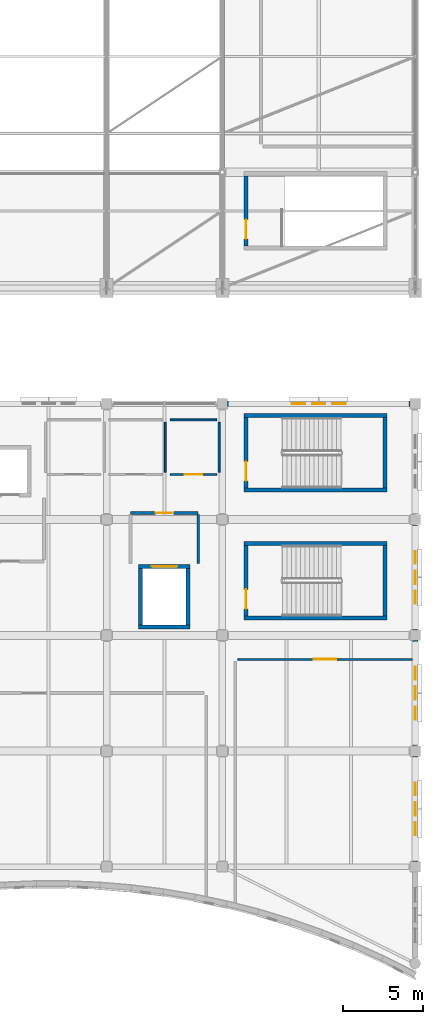
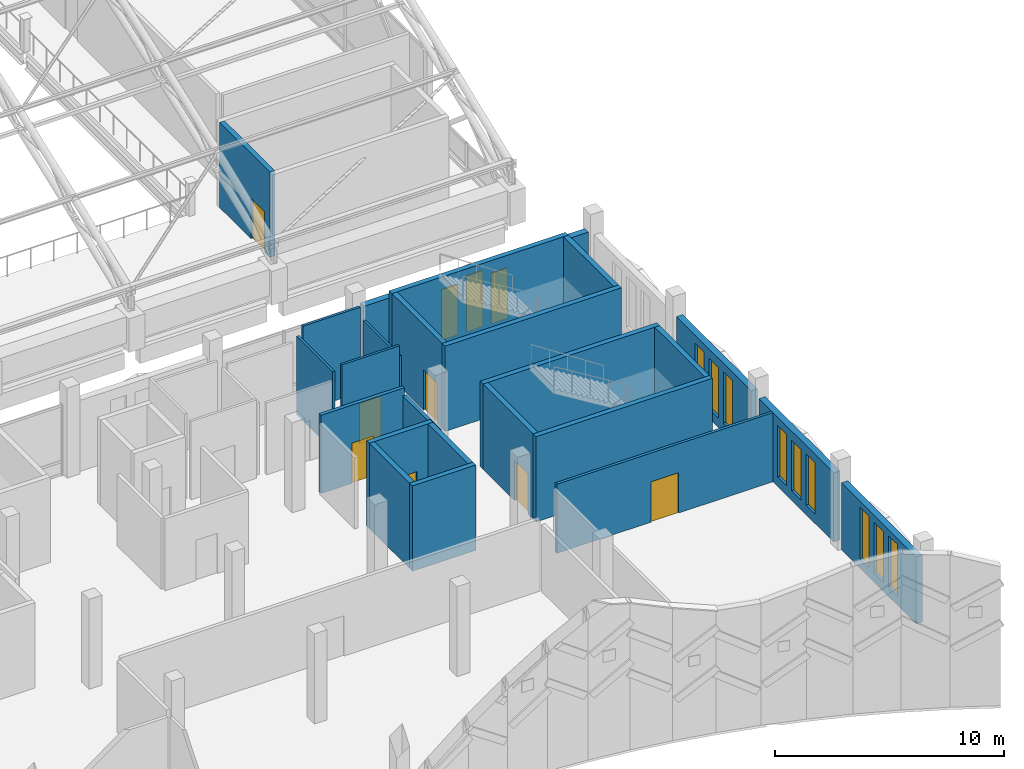
# One storey, part 92 of 116: 24 walls, 12 windows, 7 doors, 19 openings.
"""IFC4 building model written with IfcOpenShell, lengths in metres."""

from ifc_helpers import new_model, si_unit, direction, frame, frame_2d, origin, place, context, subcontext, project, spatial, rectangle, extrude, material, layer, layer_set, type_object, element, fill, save


model = new_model("IFC4")

# Units and contexts
model_context = context("Model", 3, precision=1e-05, world=origin(), true_north=direction((0.0, 1.0)))
body_context = subcontext(model_context, "Body", "Model", "MODEL_VIEW")
ifc_project = project(units=[si_unit("LENGTHUNIT", "METRE"), si_unit("AREAUNIT", "SQUARE_METRE"), si_unit("VOLUMEUNIT", "CUBIC_METRE"), si_unit("PLANEANGLEUNIT", "RADIAN"), si_unit("MASSUNIT", "GRAM", prefix="KILO")], contexts=[model_context])

# Site, building, storey
site_placement = place(None, origin())
site = spatial("IfcSite", under=ifc_project, at=site_placement, CompositionType="ELEMENT")
building_placement = place(site_placement, origin())
building = spatial("IfcBuilding", under=site, at=building_placement, Name="Cendralis Lancet Convention Centre", CompositionType="ELEMENT")
storey_placement = place(building_placement, frame((0.0, 0.0, 15.0)))
storey = spatial("IfcBuildingStorey", under=building, at=storey_placement, Name="L03", CompositionType="ELEMENT", Elevation=15.0)

# Wall, openings, windows
ifc_material_1 = material(Name="Buff sandstone ashlar and Concrete G40 (C40/50)", Category="masonry")
ifc_layer_1 = layer(ifc_material_1, 0.320068359375, Name="Buff sandstone ashlar and Concrete G40 (C40/50)")
ifc_layer_set_1 = layer_set([ifc_layer_1], Name="Buff sandstone ashlar and Concrete G40 (C40/50)")
wall_type_1 = type_object("IfcWallType", Name="ARC-EW-W320", PredefinedType="STANDARD", material=ifc_layer_set_1)
wall_1_placement = place(storey_placement, frame((197.133056640625, 36.0, 0.0), z_axis=(0.0, 0.0, 1.0), x_axis=(1.0, 0.0, 0.0)))
wall_1 = element("IfcWall", 1, at=wall_1_placement, inside=storey, type_object=wall_type_1, Name="L03 V5 Exterior Wall EW-06 #0308", PredefinedType="STANDARD", context=body_context, shape_type="SweptSolid", body=[
    extrude(rectangle(XDim=11.333984375, YDim=0.320068359375, at=frame_2d((5.6669921875, 0.0))), origin(), (0.0, 0.0, 1.0), 3.784912109375),
])
opening_1_placement = place(wall_1_placement, frame((3.9970703125, 0.0, 0.5)))
opening_1 = element("IfcOpeningElement", 2, at=opening_1_placement, cuts=wall_1, Name="Opening WN-15", PredefinedType="OPENING", context=body_context, shape_type="SweptSolid", body=[
    extrude(rectangle(XDim=0.840087890625, YDim=2.699951171875, at=frame_2d((0.419921875, 1.35009765625))), frame((0.0, 0.169921875, 0.0), z_axis=(0.0, -1.0, 0.0), x_axis=(1.0, 0.0, 0.0)), (0.0, 0.0, 1.0), 0.340087890625),
])
opening_2_placement = place(wall_1_placement, frame((5.257080078125, 0.0, 0.5)))
opening_2 = element("IfcOpeningElement", 3, at=opening_2_placement, cuts=wall_1, Name="Opening WN-02", PredefinedType="OPENING", context=body_context, shape_type="SweptSolid", body=[
    extrude(rectangle(XDim=0.820068359375, YDim=3.0, at=frame_2d((0.41015625, 1.5))), frame((0.0, 0.169921875, 0.0), z_axis=(0.0, -1.0, 0.0), x_axis=(1.0, 0.0, 0.0)), (0.0, 0.0, 1.0), 0.340087890625),
])
opening_3_placement = place(wall_1_placement, frame((6.4970703125, 0.0, 0.5)))
opening_3 = element("IfcOpeningElement", 4, at=opening_3_placement, cuts=wall_1, Name="Opening WN-15", PredefinedType="OPENING", context=body_context, shape_type="SweptSolid", body=[
    extrude(rectangle(XDim=0.840087890625, YDim=2.699951171875, at=frame_2d((0.419921875, 1.35009765625))), frame((0.0, 0.169921875, 0.0), z_axis=(0.0, -1.0, 0.0), x_axis=(1.0, 0.0, 0.0)), (0.0, 0.0, 1.0), 0.340087890625),
])
ifc_material_2 = material(Name="Double-glazed low-E solar-control glass", Category="glass")
window_type_1 = type_object("IfcWindowType", Name="ARC-WN-LW02", PartitioningType="SINGLE_PANEL", PredefinedType="WINDOW", material=ifc_material_2)
window_1_placement = place(opening_2_placement, origin())
window_1 = element("IfcWindow", 5, at=window_1_placement, inside=storey, type_object=window_type_1, Name="Gothic Lancet Window WN-02 #0605", OverallHeight=3.0, OverallWidth=0.820068359375, PartitioningType="SINGLE_PANEL", PredefinedType="WINDOW", context=body_context, shape_type="SweptSolid", body=[
    extrude(rectangle(XDim=0.820068359375, YDim=3.0, at=frame_2d((0.41015625, 1.5))), frame((0.0, 0.030029296875, 0.0), z_axis=(0.0, -1.0, 0.0), x_axis=(1.0, 0.0, 0.0)), (0.0, 0.0, 1.0), 0.06005859375),
])
fill(opening_2, window_1)
window_type_2 = type_object("IfcWindowType", Name="ARC-WN-LW15", PartitioningType="SINGLE_PANEL", PredefinedType="WINDOW", material=ifc_material_2)
window_2_placement = place(opening_1_placement, origin())
window_2 = element("IfcWindow", 6, at=window_2_placement, inside=storey, type_object=window_type_2, Name="Gothic Lancet Window WN-15 #0604", OverallHeight=2.699951171875, OverallWidth=0.840087890625, PartitioningType="SINGLE_PANEL", PredefinedType="WINDOW", context=body_context, shape_type="SweptSolid", body=[
    extrude(rectangle(XDim=0.840087890625, YDim=2.699951171875, at=frame_2d((0.419921875, 1.35009765625))), frame((0.0, 0.030029296875, 0.0), z_axis=(0.0, -1.0, 0.0), x_axis=(1.0, 0.0, 0.0)), (0.0, 0.0, 1.0), 0.06005859375),
])
fill(opening_1, window_2)
window_3_placement = place(opening_3_placement, origin())
window_3 = element("IfcWindow", 7, at=window_3_placement, inside=storey, type_object=window_type_2, Name="Gothic Lancet Window WN-15 #0606", OverallHeight=2.699951171875, OverallWidth=0.840087890625, PartitioningType="SINGLE_PANEL", PredefinedType="WINDOW", context=body_context, shape_type="SweptSolid", body=[
    extrude(rectangle(XDim=0.840087890625, YDim=2.699951171875, at=frame_2d((0.419921875, 1.35009765625))), frame((0.0, 0.030029296875, 0.0), z_axis=(0.0, -1.0, 0.0), x_axis=(1.0, 0.0, 0.0)), (0.0, 0.0, 1.0), 0.06005859375),
])
fill(opening_3, window_3)

wall_2_placement = place(storey_placement, frame((208.800048828125, 14.06689453125, 0.0), z_axis=(0.0, 0.0, 1.0), x_axis=(0.0, -1.0, 0.0)))
wall_2 = element("IfcWall", 8, at=wall_2_placement, inside=storey, type_object=wall_type_1, Name="L03 V5 Exterior Wall EW-06 #0309", PredefinedType="STANDARD", context=body_context, shape_type="SweptSolid", body=[
    extrude(rectangle(XDim=6.533935546875, YDim=0.320068359375, at=frame_2d((3.26708984375, 0.0))), origin(), (0.0, 0.0, 1.0), 3.56494140625),
])
opening_4_placement = place(wall_2_placement, frame((1.626953125, 0.0, 0.5)))
opening_4 = element("IfcOpeningElement", 9, at=opening_4_placement, cuts=wall_2, Name="Opening WN-07", PredefinedType="OPENING", context=body_context, shape_type="SweptSolid", body=[
    extrude(rectangle(XDim=0.800048828125, YDim=2.75, at=frame_2d((0.39990234375, 1.375))), frame((0.0, 0.169921875, 0.0), z_axis=(0.0, -1.0, 0.0), x_axis=(1.0, 0.0, 0.0)), (0.0, 0.0, 1.0), 0.340087890625),
])
opening_5_placement = place(wall_2_placement, frame((2.846923828125, 0.0, 0.5)))
opening_5 = element("IfcOpeningElement", 10, at=opening_5_placement, cuts=wall_2, Name="Opening WN-15", PredefinedType="OPENING", context=body_context, shape_type="SweptSolid", body=[
    extrude(rectangle(XDim=0.840087890625, YDim=2.699951171875, at=frame_2d((0.419921875, 1.35009765625))), frame((0.0, 0.169921875, 0.0), z_axis=(0.0, -1.0, 0.0), x_axis=(1.0, 0.0, 0.0)), (0.0, 0.0, 1.0), 0.340087890625),
])
opening_6_placement = place(wall_2_placement, frame((4.10693359375, 0.0, 0.5)))
opening_6 = element("IfcOpeningElement", 11, at=opening_6_placement, cuts=wall_2, Name="Opening WN-07", PredefinedType="OPENING", context=body_context, shape_type="SweptSolid", body=[
    extrude(rectangle(XDim=0.800048828125, YDim=2.75, at=frame_2d((0.39990234375, 1.375))), frame((0.0, 0.169921875, 0.0), z_axis=(0.0, -1.0, 0.0), x_axis=(1.0, 0.0, 0.0)), (0.0, 0.0, 1.0), 0.340087890625),
])
window_type_3 = type_object("IfcWindowType", Name="ARC-WN-LW07", PartitioningType="SINGLE_PANEL", PredefinedType="WINDOW", material=ifc_material_2)
window_4_placement = place(opening_4_placement, origin())
window_4 = element("IfcWindow", 12, at=window_4_placement, inside=storey, type_object=window_type_3, Name="Gothic Lancet Window WN-07 #0607", OverallHeight=2.75, OverallWidth=0.800048828125, PartitioningType="SINGLE_PANEL", PredefinedType="WINDOW", context=body_context, shape_type="SweptSolid", body=[
    extrude(rectangle(XDim=0.800048828125, YDim=2.75, at=frame_2d((0.39990234375, 1.375))), frame((0.0, 0.030029296875, 0.0), z_axis=(0.0, -1.0, 0.0), x_axis=(1.0, 0.0, 0.0)), (0.0, 0.0, 1.0), 0.06005859375),
])
fill(opening_4, window_4)
window_5_placement = place(opening_6_placement, origin())
window_5 = element("IfcWindow", 13, at=window_5_placement, inside=storey, type_object=window_type_3, Name="Gothic Lancet Window WN-07 #0609", OverallHeight=2.75, OverallWidth=0.800048828125, PartitioningType="SINGLE_PANEL", PredefinedType="WINDOW", context=body_context, shape_type="SweptSolid", body=[
    extrude(rectangle(XDim=0.800048828125, YDim=2.75, at=frame_2d((0.39990234375, 1.375))), frame((0.0, 0.030029296875, 0.0), z_axis=(0.0, -1.0, 0.0), x_axis=(1.0, 0.0, 0.0)), (0.0, 0.0, 1.0), 0.06005859375),
])
fill(opening_6, window_5)
window_6_placement = place(opening_5_placement, origin())
window_6 = element("IfcWindow", 14, at=window_6_placement, inside=storey, type_object=window_type_2, Name="Gothic Lancet Window WN-15 #0608", OverallHeight=2.699951171875, OverallWidth=0.840087890625, PartitioningType="SINGLE_PANEL", PredefinedType="WINDOW", context=body_context, shape_type="SweptSolid", body=[
    extrude(rectangle(XDim=0.840087890625, YDim=2.699951171875, at=frame_2d((0.419921875, 1.35009765625))), frame((0.0, 0.030029296875, 0.0), z_axis=(0.0, -1.0, 0.0), x_axis=(1.0, 0.0, 0.0)), (0.0, 0.0, 1.0), 0.06005859375),
])
fill(opening_5, window_6)

wall_3_placement = place(storey_placement, frame((208.800048828125, 21.26708984375, 0.0), z_axis=(0.0, 0.0, 1.0), x_axis=(0.0, -1.0, 0.0)))
wall_3 = element("IfcWall", 15, at=wall_3_placement, inside=storey, type_object=wall_type_1, Name="L03 V5 Exterior Wall EW-06 #0311", PredefinedType="STANDARD", context=body_context, shape_type="SweptSolid", body=[
    extrude(rectangle(XDim=6.5341796875, YDim=0.320068359375, at=frame_2d((3.26708984375, 0.0))), origin(), (0.0, 0.0, 1.0), 3.68505859375),
])
opening_7_placement = place(wall_3_placement, frame((1.626953125, 0.0, 0.5)))
opening_7 = element("IfcOpeningElement", 16, at=opening_7_placement, cuts=wall_3, Name="Opening WN-07", PredefinedType="OPENING", context=body_context, shape_type="SweptSolid", body=[
    extrude(rectangle(XDim=0.800048828125, YDim=2.75, at=frame_2d((0.39990234375, 1.375))), frame((0.0, 0.169921875, 0.0), z_axis=(0.0, -1.0, 0.0), x_axis=(1.0, 0.0, 0.0)), (0.0, 0.0, 1.0), 0.340087890625),
])
opening_8_placement = place(wall_3_placement, frame((2.846923828125, 0.0, 0.5)))
opening_8 = element("IfcOpeningElement", 17, at=opening_8_placement, cuts=wall_3, Name="Opening WN-15", PredefinedType="OPENING", context=body_context, shape_type="SweptSolid", body=[
    extrude(rectangle(XDim=0.840087890625, YDim=2.699951171875, at=frame_2d((0.419921875, 1.35009765625))), frame((0.0, 0.169921875, 0.0), z_axis=(0.0, -1.0, 0.0), x_axis=(1.0, 0.0, 0.0)), (0.0, 0.0, 1.0), 0.340087890625),
])
opening_9_placement = place(wall_3_placement, frame((4.10693359375, 0.0, 0.5)))
opening_9 = element("IfcOpeningElement", 18, at=opening_9_placement, cuts=wall_3, Name="Opening WN-07", PredefinedType="OPENING", context=body_context, shape_type="SweptSolid", body=[
    extrude(rectangle(XDim=0.800048828125, YDim=2.75, at=frame_2d((0.39990234375, 1.375))), frame((0.0, 0.169921875, 0.0), z_axis=(0.0, -1.0, 0.0), x_axis=(1.0, 0.0, 0.0)), (0.0, 0.0, 1.0), 0.340087890625),
])
window_7_placement = place(opening_7_placement, origin())
window_7 = element("IfcWindow", 19, at=window_7_placement, inside=storey, type_object=window_type_3, Name="Gothic Lancet Window WN-07 #0613", OverallHeight=2.75, OverallWidth=0.800048828125, PartitioningType="SINGLE_PANEL", PredefinedType="WINDOW", context=body_context, shape_type="SweptSolid", body=[
    extrude(rectangle(XDim=0.800048828125, YDim=2.75, at=frame_2d((0.39990234375, 1.375))), frame((0.0, 0.030029296875, 0.0), z_axis=(0.0, -1.0, 0.0), x_axis=(1.0, 0.0, 0.0)), (0.0, 0.0, 1.0), 0.06005859375),
])
fill(opening_7, window_7)
window_8_placement = place(opening_9_placement, origin())
window_8 = element("IfcWindow", 20, at=window_8_placement, inside=storey, type_object=window_type_3, Name="Gothic Lancet Window WN-07 #0615", OverallHeight=2.75, OverallWidth=0.800048828125, PartitioningType="SINGLE_PANEL", PredefinedType="WINDOW", context=body_context, shape_type="SweptSolid", body=[
    extrude(rectangle(XDim=0.800048828125, YDim=2.75, at=frame_2d((0.39990234375, 1.375))), frame((0.0, 0.030029296875, 0.0), z_axis=(0.0, -1.0, 0.0), x_axis=(1.0, 0.0, 0.0)), (0.0, 0.0, 1.0), 0.06005859375),
])
fill(opening_9, window_8)
window_9_placement = place(opening_8_placement, origin())
window_9 = element("IfcWindow", 21, at=window_9_placement, inside=storey, type_object=window_type_2, Name="Gothic Lancet Window WN-15 #0614", OverallHeight=2.699951171875, OverallWidth=0.840087890625, PartitioningType="SINGLE_PANEL", PredefinedType="WINDOW", context=body_context, shape_type="SweptSolid", body=[
    extrude(rectangle(XDim=0.840087890625, YDim=2.699951171875, at=frame_2d((0.419921875, 1.35009765625))), frame((0.0, 0.030029296875, 0.0), z_axis=(0.0, -1.0, 0.0), x_axis=(1.0, 0.0, 0.0)), (0.0, 0.0, 1.0), 0.06005859375),
])
fill(opening_8, window_9)

wall_4_placement = place(storey_placement, frame((208.800048828125, 28.467041015625, 0.0), z_axis=(0.0, 0.0, 1.0), x_axis=(0.0, -1.0, 0.0)))
wall_4 = element("IfcWall", 22, at=wall_4_placement, inside=storey, type_object=wall_type_1, Name="L03 V5 Exterior Wall EW-06 #0312", PredefinedType="STANDARD", context=body_context, shape_type="SweptSolid", body=[
    extrude(rectangle(XDim=6.533935546875, YDim=0.320068359375, at=frame_2d((3.26708984375, 0.0))), origin(), (0.0, 0.0, 1.0), 3.68505859375),
])
opening_10_placement = place(wall_4_placement, frame((1.626953125, 0.0, 0.5)))
opening_10 = element("IfcOpeningElement", 23, at=opening_10_placement, cuts=wall_4, Name="Opening WN-07", PredefinedType="OPENING", context=body_context, shape_type="SweptSolid", body=[
    extrude(rectangle(XDim=0.800048828125, YDim=2.75, at=frame_2d((0.39990234375, 1.375))), frame((0.0, 0.169921875, 0.0), z_axis=(0.0, -1.0, 0.0), x_axis=(1.0, 0.0, 0.0)), (0.0, 0.0, 1.0), 0.340087890625),
])
opening_11_placement = place(wall_4_placement, frame((2.846923828125, 0.0, 0.5)))
opening_11 = element("IfcOpeningElement", 24, at=opening_11_placement, cuts=wall_4, Name="Opening WN-15", PredefinedType="OPENING", context=body_context, shape_type="SweptSolid", body=[
    extrude(rectangle(XDim=0.840087890625, YDim=2.699951171875, at=frame_2d((0.419921875, 1.35009765625))), frame((0.0, 0.169921875, 0.0), z_axis=(0.0, -1.0, 0.0), x_axis=(1.0, 0.0, 0.0)), (0.0, 0.0, 1.0), 0.340087890625),
])
opening_12_placement = place(wall_4_placement, frame((4.10693359375, 0.0, 0.5)))
opening_12 = element("IfcOpeningElement", 25, at=opening_12_placement, cuts=wall_4, Name="Opening WN-07", PredefinedType="OPENING", context=body_context, shape_type="SweptSolid", body=[
    extrude(rectangle(XDim=0.800048828125, YDim=2.75, at=frame_2d((0.39990234375, 1.375))), frame((0.0, 0.169921875, 0.0), z_axis=(0.0, -1.0, 0.0), x_axis=(1.0, 0.0, 0.0)), (0.0, 0.0, 1.0), 0.340087890625),
])
window_10_placement = place(opening_10_placement, origin())
window_10 = element("IfcWindow", 26, at=window_10_placement, inside=storey, type_object=window_type_3, Name="Gothic Lancet Window WN-07 #0616", OverallHeight=2.75, OverallWidth=0.800048828125, PartitioningType="SINGLE_PANEL", PredefinedType="WINDOW", context=body_context, shape_type="SweptSolid", body=[
    extrude(rectangle(XDim=0.800048828125, YDim=2.75, at=frame_2d((0.39990234375, 1.375))), frame((0.0, 0.030029296875, 0.0), z_axis=(0.0, -1.0, 0.0), x_axis=(1.0, 0.0, 0.0)), (0.0, 0.0, 1.0), 0.06005859375),
])
fill(opening_10, window_10)
window_11_placement = place(opening_12_placement, origin())
window_11 = element("IfcWindow", 27, at=window_11_placement, inside=storey, type_object=window_type_3, Name="Gothic Lancet Window WN-07 #0618", OverallHeight=2.75, OverallWidth=0.800048828125, PartitioningType="SINGLE_PANEL", PredefinedType="WINDOW", context=body_context, shape_type="SweptSolid", body=[
    extrude(rectangle(XDim=0.800048828125, YDim=2.75, at=frame_2d((0.39990234375, 1.375))), frame((0.0, 0.030029296875, 0.0), z_axis=(0.0, -1.0, 0.0), x_axis=(1.0, 0.0, 0.0)), (0.0, 0.0, 1.0), 0.06005859375),
])
fill(opening_12, window_11)
window_12_placement = place(opening_11_placement, origin())
window_12 = element("IfcWindow", 28, at=window_12_placement, inside=storey, type_object=window_type_2, Name="Gothic Lancet Window WN-15 #0617", OverallHeight=2.699951171875, OverallWidth=0.840087890625, PartitioningType="SINGLE_PANEL", PredefinedType="WINDOW", context=body_context, shape_type="SweptSolid", body=[
    extrude(rectangle(XDim=0.840087890625, YDim=2.699951171875, at=frame_2d((0.419921875, 1.35009765625))), frame((0.0, 0.030029296875, 0.0), z_axis=(0.0, -1.0, 0.0), x_axis=(1.0, 0.0, 0.0)), (0.0, 0.0, 1.0), 0.06005859375),
])
fill(opening_11, window_12)

# Wall
ifc_material_3 = material(Name="Acoustic fire-rated gypsum board on steel studs", Category="steel")
ifc_layer_2 = layer(ifc_material_3, 0.1201171875, Name="Acoustic fire-rated gypsum board on steel studs")
ifc_layer_set_2 = layer_set([ifc_layer_2], Name="Acoustic fire-rated gypsum board on steel studs")
wall_type_2 = type_object("IfcWallType", Name="ARC-IW-P120", PredefinedType="PARTITIONING", material=ifc_layer_set_2)
wall_5_placement = place(storey_placement, frame((193.25, 31.739990234375, 0.0), z_axis=(0.0, 0.0, 1.0), x_axis=(0.0, 1.0, 0.0)))
element("IfcWall", 29, at=wall_5_placement, inside=storey, type_object=wall_type_2, Name="L03 Interior Partition IW-05 #0420", PredefinedType="PARTITIONING", context=body_context, shape_type="SweptSolid", body=[
    extrude(rectangle(XDim=3.1201171875, YDim=0.1201171875, at=frame_2d((1.56005859375, 0.0))), origin(), (0.0, 0.0, 1.0), 4.175048828125),
])

# Wall, opening, door
wall_6_placement = place(storey_placement, frame((193.550048828125, 31.60009765625, 0.0), z_axis=(0.0, 0.0, 1.0), x_axis=(1.0, 0.0, 0.0)))
wall_6 = element("IfcWall", 30, at=wall_6_placement, inside=storey, type_object=wall_type_2, Name="L03 Interior Partition IW-05 #0421", PredefinedType="PARTITIONING", context=body_context, shape_type="SweptSolid", body=[
    extrude(rectangle(XDim=2.89990234375, YDim=0.1201171875, at=frame_2d((1.449951171875, 0.0))), origin(), (0.0, 0.0, 1.0), 4.534912109375),
])
opening_13_placement = place(wall_6_placement, frame((0.89990234375, 0.0, 0.0)))
opening_13 = element("IfcOpeningElement", 31, at=opening_13_placement, cuts=wall_6, Name="Opening FD-11", PredefinedType="OPENING", context=body_context, shape_type="SweptSolid", body=[
    extrude(rectangle(XDim=1.10009765625, YDim=2.14990234375, at=frame_2d((0.550048828125, 1.074951171875))), frame((0.0, 0.070068359375, 0.0), z_axis=(0.0, -1.0, 0.0), x_axis=(1.0, 0.0, 0.0)), (0.0, 0.0, 1.0), 0.14013671875),
])
ifc_material_4 = material(Name="Steel S355", Category="steel")
door_type_1 = type_object("IfcDoorType", Name="ARC-DR-FF11", OperationType="NOTDEFINED", PredefinedType="DOOR", material=ifc_material_4)
door_1_placement = place(opening_13_placement, origin())
door_1 = element("IfcDoor", 32, at=door_1_placement, inside=storey, type_object=door_type_1, Name="L03-D027 L03 Interior Door FD-11 #0144", OperationType="SINGLE_SWING_RIGHT", OverallHeight=2.14990234375, OverallWidth=1.10009765625, PredefinedType="DOOR", context=body_context, shape_type="SweptSolid", body=[
    extrude(rectangle(XDim=1.10009765625, YDim=2.14990234375, at=frame_2d((0.550048828125, 1.074951171875))), frame((0.0, 0.02490234375, 0.0), z_axis=(0.0, -1.0, 0.0), x_axis=(1.0, 0.0, 0.0)), (0.0, 0.0, 1.0), 0.050048828125),
])
fill(opening_13, door_1)

# Walls
wall_7_placement = place(storey_placement, frame((193.550048828125, 35.0, 0.0), z_axis=(0.0, 0.0, 1.0), x_axis=(1.0, 0.0, 0.0)))
element("IfcWall", 33, at=wall_7_placement, inside=storey, type_object=wall_type_2, Name="L03 Interior Partition IW-05 #0422", PredefinedType="PARTITIONING", context=body_context, shape_type="SweptSolid", body=[
    extrude(rectangle(XDim=2.89990234375, YDim=0.1201171875, at=frame_2d((1.449951171875, 0.0))), origin(), (0.0, 0.0, 1.0), 4.534912109375),
])
wall_8_placement = place(storey_placement, frame((196.60009765625, 31.739990234375, 0.0), z_axis=(0.0, 0.0, 1.0), x_axis=(0.0, 1.0, 0.0)))
element("IfcWall", 34, at=wall_8_placement, inside=storey, type_object=wall_type_2, Name="L03 Interior Partition IW-05 #0423", PredefinedType="PARTITIONING", context=body_context, shape_type="SweptSolid", body=[
    extrude(rectangle(XDim=3.1201171875, YDim=0.1201171875, at=frame_2d((1.56005859375, 0.0))), origin(), (0.0, 0.0, 1.0), 3.8349609375),
])

# Wall, opening, door
ifc_layer_3 = layer(ifc_material_3, 0.139892578125, Name="Acoustic fire-rated gypsum board on steel studs")
ifc_layer_set_3 = layer_set([ifc_layer_3], Name="Acoustic fire-rated gypsum board on steel studs")
wall_type_3 = type_object("IfcWallType", Name="ARC-IW-P140", PredefinedType="PARTITIONING", material=ifc_layer_set_3)
wall_9_placement = place(storey_placement, frame((197.739990234375, 20.10009765625, 0.0), z_axis=(0.0, 0.0, 1.0), x_axis=(1.0, 0.0, 0.0)))
wall_9 = element("IfcWall", 35, at=wall_9_placement, inside=storey, type_object=wall_type_3, Name="L03 Interior Partition IW-04 #0411", PredefinedType="PARTITIONING", context=body_context, shape_type="SweptSolid", body=[
    extrude(rectangle(XDim=10.889892578125, YDim=0.139892578125, at=frame_2d((5.44482421875, 0.0))), origin(), (0.0, 0.0, 1.0), 3.68505859375),
])
opening_14_placement = place(wall_9_placement, frame((4.7451171875, 0.0, 0.0)))
opening_14 = element("IfcOpeningElement", 36, at=opening_14_placement, cuts=wall_9, Name="Opening ID-14", PredefinedType="OPENING", context=body_context, shape_type="SweptSolid", body=[
    extrude(rectangle(XDim=1.39990234375, YDim=2.14990234375, at=frame_2d((0.699951171875, 1.074951171875))), frame((0.0, 0.079833984375, 0.0), z_axis=(0.0, -1.0, 0.0), x_axis=(1.0, 0.0, 0.0)), (0.0, 0.0, 1.0), 0.159912109375),
])
ifc_material_5 = material(Name="Acoustic Chilean lenga timber and steel fire leaf", Category="steel")
door_type_2 = type_object("IfcDoorType", Name="ARC-DR-DB14", OperationType="NOTDEFINED", PredefinedType="DOOR", material=ifc_material_5)
door_2_placement = place(opening_14_placement, origin())
door_2 = element("IfcDoor", 37, at=door_2_placement, inside=storey, type_object=door_type_2, Name="L03-D023 L03 Interior Door ID-14 #0140", OperationType="DOUBLE_DOOR_SINGLE_SWING", OverallHeight=2.14990234375, OverallWidth=1.39990234375, PredefinedType="DOOR", context=body_context, shape_type="SweptSolid", body=[
    extrude(rectangle(XDim=1.39990234375, YDim=2.14990234375, at=frame_2d((0.699951171875, 1.074951171875))), frame((0.0, 0.02490234375, 0.0), z_axis=(0.0, -1.0, 0.0), x_axis=(1.0, 0.0, 0.0)), (0.0, 0.0, 1.0), 0.050048828125),
])
fill(opening_14, door_2)

ifc_layer_4 = layer(ifc_material_3, 0.179931640625, Name="Acoustic fire-rated gypsum board on steel studs")
ifc_layer_set_4 = layer_set([ifc_layer_4], Name="Acoustic fire-rated gypsum board on steel studs")
wall_type_4 = type_object("IfcWallType", Name="ARC-IW-P180", PredefinedType="PARTITIONING", material=ifc_layer_set_4)
wall_10_placement = place(storey_placement, frame((191.10009765625, 29.199951171875, 0.0), z_axis=(0.0, 0.0, 1.0), x_axis=(1.0, 0.0, 0.0)))
wall_10 = element("IfcWall", 38, at=wall_10_placement, inside=storey, type_object=wall_type_4, Name="L03 Lift Lobby LG-04 Front Wall", PredefinedType="PARTITIONING", context=body_context, shape_type="SweptSolid", body=[
    extrude(rectangle(XDim=4.199951171875, YDim=0.179931640625, at=frame_2d((2.10009765625, 0.0))), origin(), (0.0, 0.0, 1.0), 4.175048828125),
])
opening_15_placement = place(wall_10_placement, frame((1.550048828125, 0.0, 0.0)))
opening_15 = element("IfcOpeningElement", 39, at=opening_15_placement, cuts=wall_10, Name="Opening FD-11", PredefinedType="OPENING", context=body_context, shape_type="SweptSolid", body=[
    extrude(rectangle(XDim=1.10009765625, YDim=2.14990234375, at=frame_2d((0.550048828125, 1.074951171875))), frame((0.0, 0.099853515625, 0.0), z_axis=(0.0, -1.0, 0.0), x_axis=(1.0, 0.0, 0.0)), (0.0, 0.0, 1.0), 0.199951171875),
])
door_3_placement = place(opening_15_placement, origin())
door_3 = element("IfcDoor", 40, at=door_3_placement, inside=storey, type_object=door_type_1, Name="L03-D042 L03 Lift Lobby LG-04 Fire Door", OperationType="SINGLE_SWING_LEFT", OverallHeight=2.14990234375, OverallWidth=1.10009765625, PredefinedType="DOOR", context=body_context, shape_type="SweptSolid", body=[
    extrude(rectangle(XDim=1.10009765625, YDim=2.14990234375, at=frame_2d((0.550048828125, 1.074951171875))), frame((0.0, 0.02490234375, 0.0), z_axis=(0.0, -1.0, 0.0), x_axis=(1.0, 0.0, 0.0)), (0.0, 0.0, 1.0), 0.050048828125),
])
fill(opening_15, door_3)

# Wall
wall_11_placement = place(storey_placement, frame((195.300048828125, 26.050048828125, 0.0), z_axis=(0.0, 0.0, 1.0), x_axis=(0.0, 1.0, 0.0)))
element("IfcWall", 41, at=wall_11_placement, inside=storey, type_object=wall_type_4, Name="L03 Lift Lobby LG-04 East Wall", PredefinedType="PARTITIONING", context=body_context, shape_type="SweptSolid", body=[
    extrude(rectangle(XDim=3.050048828125, YDim=0.179931640625, at=frame_2d((1.52490234375, 0.0))), origin(), (0.0, 0.0, 1.0), 3.784912109375),
])

# Wall, opening, door
ifc_material_6 = material(Name="Concrete G40 (C40/50)", Category="concrete")
ifc_layer_5 = layer(ifc_material_6, 0.25, Name="Concrete G40 (C40/50)")
ifc_layer_set_5 = layer_set([ifc_layer_5], Name="Concrete G40 (C40/50)")
wall_type_5 = type_object("IfcWallType", Name="STR-SW-CW250", PredefinedType="SHEAR", material=ifc_layer_set_5)
wall_12_placement = place(storey_placement, frame((198.27490234375, 45.800048828125, 0.0), z_axis=(0.0, 0.0, 1.0), x_axis=(0.0, 1.0, 0.0)))
wall_12 = element("IfcWall", 42, at=wall_12_placement, inside=storey, type_object=wall_type_5, Name="L03 Stair Core ST-09 West Shear Wall", PredefinedType="SHEAR", context=body_context, shape_type="SweptSolid", body=[
    extrude(rectangle(XDim=4.3798828125, YDim=0.25, at=frame_2d((2.18994140625, 0.0))), origin(), (0.0, 0.0, 1.0), 4.550048828125),
])
opening_16_placement = place(wall_12_placement, frame((0.449951171875, 0.0, 0.0)))
opening_16 = element("IfcOpeningElement", 43, at=opening_16_placement, cuts=wall_12, Name="Opening SD-12", PredefinedType="OPENING", context=body_context, shape_type="SweptSolid", body=[
    extrude(rectangle(XDim=1.199951171875, YDim=2.14990234375, at=frame_2d((0.60009765625, 1.074951171875))), frame((0.0, 0.135009765625, 0.0), z_axis=(0.0, -1.0, 0.0), x_axis=(1.0, 0.0, 0.0)), (0.0, 0.0, 1.0), 0.27001953125),
])
door_type_3 = type_object("IfcDoorType", Name="ARC-DR-ST12", OperationType="NOTDEFINED", PredefinedType="DOOR", material=ifc_material_4)
door_4_placement = place(opening_16_placement, frame((1.199951171875, 0.0, 0.0), z_axis=(0.0, 0.0, 1.0), x_axis=(-1.0, 0.0, 0.0)))
door_4 = element("IfcDoor", 44, at=door_4_placement, inside=storey, type_object=door_type_3, Name="L03-D053 L03 Exit Stair ST-09 Fire Door", OperationType="SINGLE_SWING_RIGHT", OverallHeight=2.14990234375, OverallWidth=1.199951171875, PredefinedType="DOOR", context=body_context, shape_type="SweptSolid", body=[
    extrude(rectangle(XDim=1.199951171875, YDim=2.14990234375, at=frame_2d((0.60009765625, 1.074951171875))), frame((0.0, 0.02490234375, 0.0), z_axis=(0.0, -1.0, 0.0), x_axis=(1.0, 0.0, 0.0)), (0.0, 0.0, 1.0), 0.050048828125),
])
fill(opening_16, door_4)

wall_13_placement = place(storey_placement, frame((198.27490234375, 22.800048828125, 0.0), z_axis=(0.0, 0.0, 1.0), x_axis=(0.0, 1.0, 0.0)))
wall_13 = element("IfcWall", 45, at=wall_13_placement, inside=storey, type_object=wall_type_5, Name="L03 Stair Core ST-15 West Shear Wall", PredefinedType="SHEAR", context=body_context, shape_type="SweptSolid", body=[
    extrude(rectangle(XDim=4.3798828125, YDim=0.25, at=frame_2d((2.18994140625, 0.0))), origin(), (0.0, 0.0, 1.0), 4.550048828125),
])
opening_17_placement = place(wall_13_placement, frame((0.449951171875, 0.0, 0.0)))
opening_17 = element("IfcOpeningElement", 46, at=opening_17_placement, cuts=wall_13, Name="Opening SD-12", PredefinedType="OPENING", context=body_context, shape_type="SweptSolid", body=[
    extrude(rectangle(XDim=1.199951171875, YDim=2.14990234375, at=frame_2d((0.60009765625, 1.074951171875))), frame((0.0, 0.135009765625, 0.0), z_axis=(0.0, -1.0, 0.0), x_axis=(1.0, 0.0, 0.0)), (0.0, 0.0, 1.0), 0.27001953125),
])
door_5_placement = place(opening_17_placement, frame((1.199951171875, 0.0, 0.0), z_axis=(0.0, 0.0, 1.0), x_axis=(-1.0, 0.0, 0.0)))
door_5 = element("IfcDoor", 47, at=door_5_placement, inside=storey, type_object=door_type_3, Name="L03-D059 L03 Exit Stair ST-15 Fire Door", OperationType="SINGLE_SWING_RIGHT", OverallHeight=2.14990234375, OverallWidth=1.199951171875, PredefinedType="DOOR", context=body_context, shape_type="SweptSolid", body=[
    extrude(rectangle(XDim=1.199951171875, YDim=2.14990234375, at=frame_2d((0.60009765625, 1.074951171875))), frame((0.0, 0.02490234375, 0.0), z_axis=(0.0, -1.0, 0.0), x_axis=(1.0, 0.0, 0.0)), (0.0, 0.0, 1.0), 0.050048828125),
])
fill(opening_17, door_5)

# Walls
wall_14_placement = place(storey_placement, frame((206.925048828125, 22.800048828125, 0.0), z_axis=(0.0, 0.0, 1.0), x_axis=(0.0, 1.0, 0.0)))
element("IfcWall", 48, at=wall_14_placement, inside=storey, type_object=wall_type_5, Name="L03 Stair Core ST-15 East Shear Wall", PredefinedType="SHEAR", context=body_context, shape_type="SweptSolid", body=[
    extrude(rectangle(XDim=4.3798828125, YDim=0.25, at=frame_2d((2.18994140625, 0.0))), origin(), (0.0, 0.0, 1.0), 4.550048828125),
])
for number, where, z_axis, x_axis, name in (
    (49, (198.14990234375, 22.675048828125, 0.0), (0.0, 0.0, 1.0), (1.0, 0.0, 0.0), "L03 Stair Core ST-15 South Shear Wall"),
    (50, (198.14990234375, 27.304931640625, 0.0), (0.0, 0.0, 1.0), (1.0, 0.0, 0.0), "L03 Stair Core ST-15 North Shear Wall"),
):
    element("IfcWall", number, at=place(storey_placement, frame(where, z_axis=z_axis, x_axis=x_axis)), inside=storey, type_object=wall_type_5, Name=name, PredefinedType="SHEAR", context=body_context, shape_type="SweptSolid", body=[
        extrude(rectangle(XDim=8.900146484375, YDim=0.25, at=frame_2d((4.4501953125, 0.0))), origin(), (0.0, 0.0, 1.0), 4.550048828125),
    ])

# Wall, opening, door
wall_15_placement = place(storey_placement, frame((198.27490234375, 30.75, 0.0), z_axis=(0.0, 0.0, 1.0), x_axis=(0.0, 1.0, 0.0)))
wall_15 = element("IfcWall", 51, at=wall_15_placement, inside=storey, type_object=wall_type_5, Name="L03 Stair Core ST-16 West Shear Wall", PredefinedType="SHEAR", context=body_context, shape_type="SweptSolid", body=[
    extrude(rectangle(XDim=4.3798828125, YDim=0.25, at=frame_2d((2.18994140625, 0.0))), origin(), (0.0, 0.0, 1.0), 4.550048828125),
])
opening_18_placement = place(wall_15_placement, frame((0.449951171875, 0.0, 0.0)))
opening_18 = element("IfcOpeningElement", 52, at=opening_18_placement, cuts=wall_15, Name="Opening SD-12", PredefinedType="OPENING", context=body_context, shape_type="SweptSolid", body=[
    extrude(rectangle(XDim=1.199951171875, YDim=2.14990234375, at=frame_2d((0.60009765625, 1.074951171875))), frame((0.0, 0.135009765625, 0.0), z_axis=(0.0, -1.0, 0.0), x_axis=(1.0, 0.0, 0.0)), (0.0, 0.0, 1.0), 0.27001953125),
])
door_6_placement = place(opening_18_placement, frame((1.199951171875, 0.0, 0.0), z_axis=(0.0, 0.0, 1.0), x_axis=(-1.0, 0.0, 0.0)))
door_6 = element("IfcDoor", 53, at=door_6_placement, inside=storey, type_object=door_type_3, Name="L03-D060 L03 Exit Stair ST-16 Fire Door", OperationType="SINGLE_SWING_LEFT", OverallHeight=2.14990234375, OverallWidth=1.199951171875, PredefinedType="DOOR", context=body_context, shape_type="SweptSolid", body=[
    extrude(rectangle(XDim=1.199951171875, YDim=2.14990234375, at=frame_2d((0.60009765625, 1.074951171875))), frame((0.0, 0.02490234375, 0.0), z_axis=(0.0, -1.0, 0.0), x_axis=(1.0, 0.0, 0.0)), (0.0, 0.0, 1.0), 0.050048828125),
])
fill(opening_18, door_6)

# Walls
wall_16_placement = place(storey_placement, frame((206.925048828125, 30.75, 0.0), z_axis=(0.0, 0.0, 1.0), x_axis=(0.0, 1.0, 0.0)))
element("IfcWall", 54, at=wall_16_placement, inside=storey, type_object=wall_type_5, Name="L03 Stair Core ST-16 East Shear Wall", PredefinedType="SHEAR", context=body_context, shape_type="SweptSolid", body=[
    extrude(rectangle(XDim=4.3798828125, YDim=0.25, at=frame_2d((2.18994140625, 0.0))), origin(), (0.0, 0.0, 1.0), 4.550048828125),
])
for number, where, z_axis, x_axis, name in (
    (55, (198.14990234375, 30.625, 0.0), (0.0, 0.0, 1.0), (1.0, 0.0, 0.0), "L03 Stair Core ST-16 South Shear Wall"),
    (56, (198.14990234375, 35.2548828125, 0.0), (0.0, 0.0, 1.0), (1.0, 0.0, 0.0), "L03 Stair Core ST-16 North Shear Wall"),
):
    element("IfcWall", number, at=place(storey_placement, frame(where, z_axis=z_axis, x_axis=x_axis)), inside=storey, type_object=wall_type_5, Name=name, PredefinedType="SHEAR", context=body_context, shape_type="SweptSolid", body=[
        extrude(rectangle(XDim=8.900146484375, YDim=0.25, at=frame_2d((4.4501953125, 0.0))), origin(), (0.0, 0.0, 1.0), 4.550048828125),
    ])
wall_17_placement = place(storey_placement, frame((191.60009765625, 22.125, 0.0), z_axis=(0.0, 0.0, 1.0), x_axis=(1.0, 0.0, 0.0)))
element("IfcWall", 57, at=wall_17_placement, inside=storey, type_object=wall_type_5, Name="L03 Lift LG-04 South Shaft Wall", PredefinedType="SHEAR", context=body_context, shape_type="SweptSolid", body=[
    extrude(rectangle(XDim=3.199951171875, YDim=0.25, at=frame_2d((1.60009765625, 0.0))), origin(), (0.0, 0.0, 1.0), 4.550048828125),
])

# Wall, opening, door
wall_18_placement = place(storey_placement, frame((191.60009765625, 25.875, 0.0), z_axis=(0.0, 0.0, 1.0), x_axis=(1.0, 0.0, 0.0)))
wall_18 = element("IfcWall", 58, at=wall_18_placement, inside=storey, type_object=wall_type_5, Name="L03 Lift LG-04 North Shaft Wall", PredefinedType="SHEAR", context=body_context, shape_type="SweptSolid", body=[
    extrude(rectangle(XDim=3.199951171875, YDim=0.25, at=frame_2d((1.60009765625, 0.0))), origin(), (0.0, 0.0, 1.0), 4.550048828125),
])
opening_19_placement = place(wall_18_placement, frame((0.800048828125, 0.0, 0.0)))
opening_19 = element("IfcOpeningElement", 59, at=opening_19_placement, cuts=wall_18, Name="Opening LD-16", PredefinedType="OPENING", context=body_context, shape_type="SweptSolid", body=[
    extrude(rectangle(XDim=1.60009765625, YDim=2.199951171875, at=frame_2d((0.800048828125, 1.10009765625))), frame((0.0, 0.135009765625, 0.0), z_axis=(0.0, -1.0, 0.0), x_axis=(1.0, 0.0, 0.0)), (0.0, 0.0, 1.0), 0.27001953125),
])
door_type_4 = type_object("IfcDoorType", Name="ARC-DR-LD16", OperationType="NOTDEFINED", PredefinedType="DOOR", material=ifc_material_4)
door_7_placement = place(opening_19_placement, origin())
door_7 = element("IfcDoor", 60, at=door_7_placement, inside=storey, type_object=door_type_4, Name="L03-D031 L03 Lift LG-04 Sliding Landing Door", OperationType="SLIDING_TO_LEFT", OverallHeight=2.199951171875, OverallWidth=1.60009765625, PredefinedType="DOOR", context=body_context, shape_type="SweptSolid", body=[
    extrude(rectangle(XDim=1.60009765625, YDim=2.199951171875, at=frame_2d((0.800048828125, 1.10009765625))), frame((0.0, 0.02490234375, 0.0), z_axis=(0.0, -1.0, 0.0), x_axis=(1.0, 0.0, 0.0)), (0.0, 0.0, 1.0), 0.050048828125),
])
fill(opening_19, door_7)

# Walls
for number, where, z_axis, x_axis, name in (
    (61, (191.72509765625, 22.25, 0.0), (0.0, 0.0, 1.0), (0.0, 1.0, 0.0), "L03 Lift LG-04 West Shaft Wall"),
    (62, (194.675048828125, 22.25, 0.0), (0.0, 0.0, 1.0), (0.0, 1.0, 0.0), "L03 Lift LG-04 East Shaft Wall"),
):
    element("IfcWall", number, at=place(storey_placement, frame(where, z_axis=z_axis, x_axis=x_axis)), inside=storey, type_object=wall_type_5, Name=name, PredefinedType="SHEAR", context=body_context, shape_type="SweptSolid", body=[
        extrude(rectangle(XDim=3.5, YDim=0.25, at=frame_2d((1.75, 0.0))), origin(), (0.0, 0.0, 1.0), 4.550048828125),
    ])

save(model, "model.ifc")
